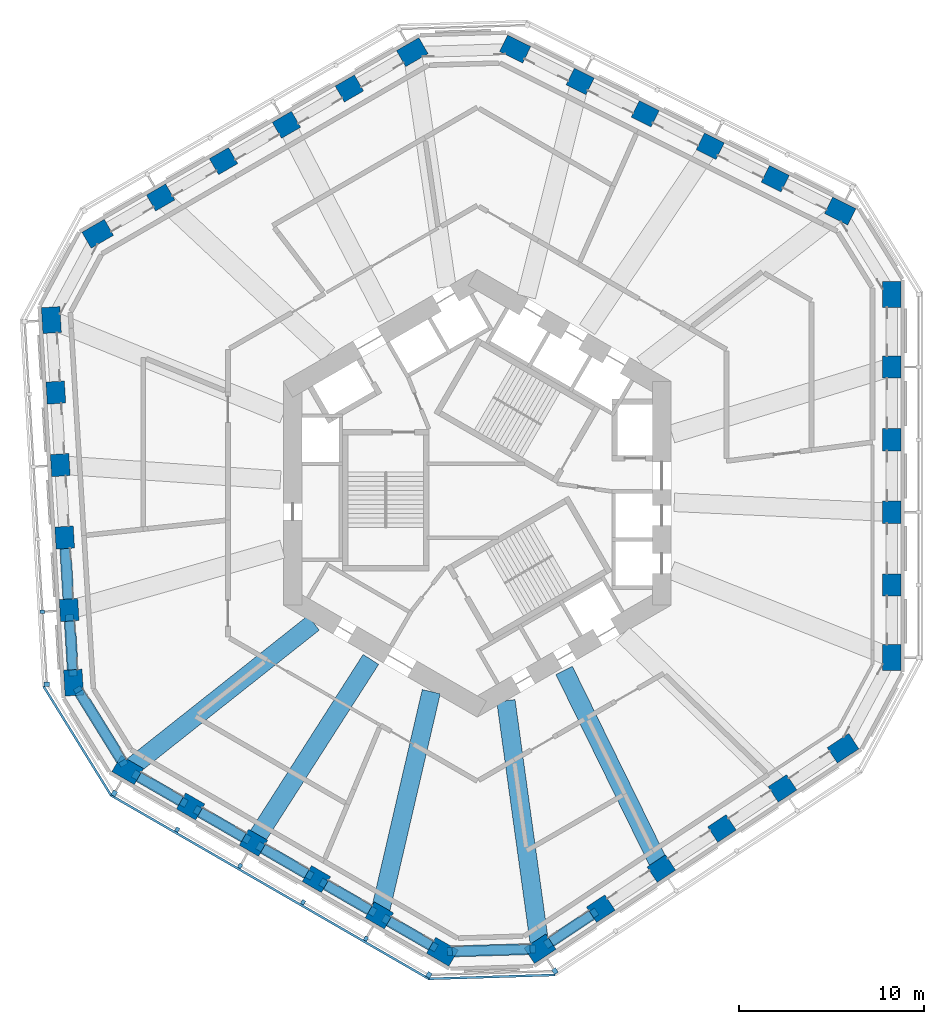
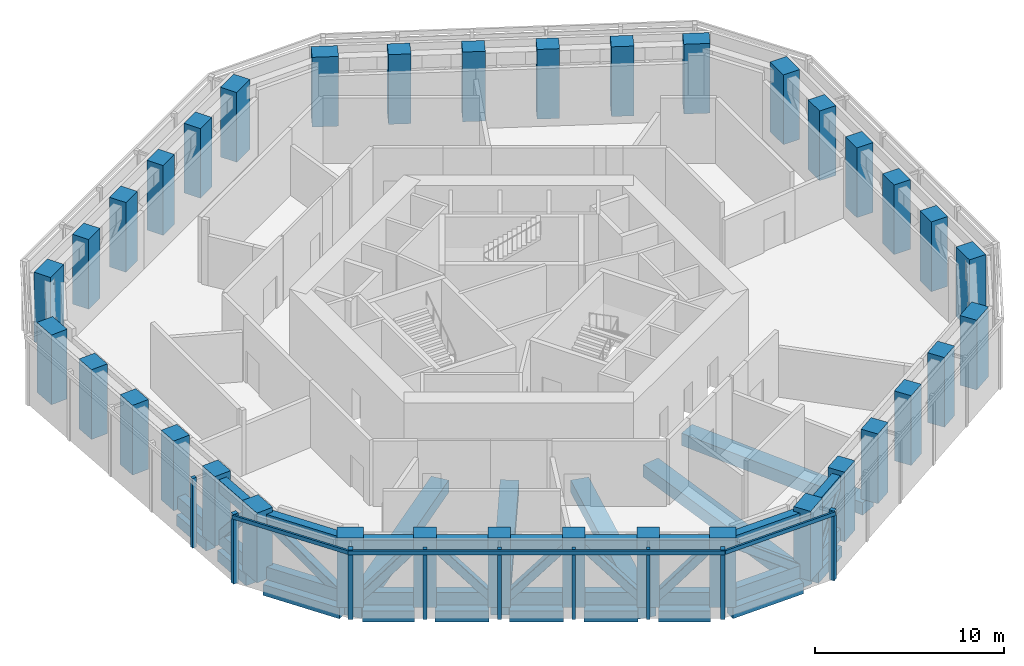
# One storey, part 1 of 15: 40 members, 36 columns, 15 beams, 5 elements without a shape of their own.
"""IFC4 building model written with IfcOpenShell, lengths in metres."""

import ifcopenshell
import ifcopenshell.guid

model = None  # the IFC model being written
_history = None  # IfcOwnerHistory: only IFC2X3 demands one
_inside = {}  # id of a spatial element -> (the spatial element, [elements in it])
_under = {}  # id of a project, library or spatial element -> (it, [spatial elements below it])
_declared = {}  # id of a project -> (the project, [libraries it declares])
_typed = {}  # id of a type object -> (the type object, [elements of that type])
_made_of = {}  # id of a material, layer set ... -> (it, [elements and type objects made of it])


def new_model(schema):
    """Start an empty IFC model of exactly this schema.

    Asked for "IFC4X3", IfcOpenShell would pick the latest addendum, in which some entities
    have other attributes; the version numbers below select the first issue.
    IFC2X3 requires an IfcOwnerHistory on every rooted entity: one is made here for all.
    """
    global model, _history
    if schema == "IFC4X3":
        model = ifcopenshell.file(schema_version=(4, 3, 0, 0))
    else:
        model = ifcopenshell.file(schema=schema)
    _inside.clear()
    _under.clear()
    _declared.clear()
    _typed.clear()
    _made_of.clear()
    _history = None
    if model.schema == "IFC2X3":
        org = make("IfcOrganization", Name="unknown")
        user = make(
            "IfcPersonAndOrganization",
            ThePerson=make("IfcPerson", FamilyName="unknown"),
            TheOrganization=org,
        )
        app = make(
            "IfcApplication",
            ApplicationDeveloper=org,
            Version="unknown",
            ApplicationFullName="unknown",
            ApplicationIdentifier="unknown",
        )
        _history = make(
            "IfcOwnerHistory",
            OwningUser=user,
            OwningApplication=app,
            ChangeAction="ADDED",
            CreationDate=0,
        )
    return model


def make(cls, **values):
    """One entity of the class cls with the attributes given. An attribute that is None is left unset."""
    return model.create_entity(
        cls, **{name: value for name, value in values.items() if value is not None}
    )


def rooted(cls, **values):
    """An entity with a GlobalId (a new one), such as an element, a storey or a relation."""
    return make(cls, GlobalId=ifcopenshell.guid.new(), OwnerHistory=_history, **values)


def si_unit(unit_type, name, prefix=None):
    """IfcSIUnit, for example si_unit("LENGTHUNIT", "METRE", prefix="MILLI")."""
    return make("IfcSIUnit", UnitType=unit_type, Prefix=prefix, Name=name)


def assignment(units):
    """IfcUnitAssignment: the units of a project."""
    return None if units is None else make("IfcUnitAssignment", Units=units)


def point(xyz):
    """IfcCartesianPoint."""
    return None if xyz is None else make("IfcCartesianPoint", Coordinates=xyz)


def direction(xyz):
    """IfcDirection."""
    return None if xyz is None else make("IfcDirection", DirectionRatios=xyz)


def frame(location, z_axis=None, x_axis=None):
    """IfcAxis2Placement3D, a coordinate frame: its origin and axes. An axis left out is left unset."""
    return make(
        "IfcAxis2Placement3D",
        Location=point(location),
        Axis=direction(z_axis),
        RefDirection=direction(x_axis),
    )


def frame_2d(location, x_axis=None):
    """IfcAxis2Placement2D, a coordinate frame in the plane: its origin and x axis."""
    return make(
        "IfcAxis2Placement2D", Location=point(location), RefDirection=direction(x_axis)
    )


def origin():
    """The frame at (0, 0, 0) with its axes left unset."""
    return frame((0.0, 0.0, 0.0))


def origin_2d():
    """The frame at (0, 0) in the plane with its x axis left unset."""
    return frame_2d((0.0, 0.0))


def place(relative_to, where):
    """IfcLocalPlacement: puts the frame where relative to a parent placement (None: the world)."""
    return make(
        "IfcLocalPlacement", PlacementRelTo=relative_to, RelativePlacement=where
    )


def context(
    kind, dimensions, precision=None, world=None, true_north=None, identifier=None
):
    """IfcGeometricRepresentationContext, for example the 3D "Model" context."""
    return make(
        "IfcGeometricRepresentationContext",
        ContextIdentifier=identifier,
        ContextType=kind,
        CoordinateSpaceDimension=dimensions,
        Precision=precision,
        WorldCoordinateSystem=world,
        TrueNorth=true_north,
    )


def subcontext(parent, identifier, kind, view, scale=None):
    """IfcGeometricRepresentationSubContext, for example "Body" below "Model"."""
    return make(
        "IfcGeometricRepresentationSubContext",
        ContextIdentifier=identifier,
        ContextType=kind,
        ParentContext=parent,
        TargetScale=scale,
        TargetView=view,
    )


def project(units=None, contexts=None):
    """IfcProject with its units and contexts."""
    return rooted(
        "IfcProject",
        Name="project",
        RepresentationContexts=contexts,
        UnitsInContext=assignment(units),
    )


def spatial(cls, under=None, at=None, **own):
    """A site, building, storey or space (cls), placed at a placement, below another one or the project."""
    s = rooted(cls, ObjectPlacement=at, **own)
    if under is not None:
        _under.setdefault(under.id(), (under, []))[1].append(s)
    return s


def profile(cls, at=None, kind="AREA", **sizes):
    """A parametric profile (cls). Its sizes go by their IFC names, for example OverallWidth=200.0."""
    return make(cls, ProfileType=kind, Position=at, **sizes)


def rectangle(**sizes):
    """IfcRectangleProfileDef."""
    return profile("IfcRectangleProfileDef", **sizes)


def hollow_rectangle(**sizes):
    """IfcRectangleHollowProfileDef."""
    return profile("IfcRectangleHollowProfileDef", **sizes)


def extrude(swept, where, along, depth):
    """IfcExtrudedAreaSolid: the profile swept, set in the frame where, extruded along a direction by depth."""
    return make(
        "IfcExtrudedAreaSolid",
        SweptArea=swept,
        Position=where,
        ExtrudedDirection=direction(along),
        Depth=depth,
    )


def shape(context_of_items, identifier, shape_type, items):
    """IfcShapeRepresentation: the items that make up one representation, for example the "Body"."""
    return make(
        "IfcShapeRepresentation",
        ContextOfItems=context_of_items,
        RepresentationIdentifier=identifier,
        RepresentationType=shape_type,
        Items=items,
    )


def material(Name=None, Category=None):
    """IfcMaterial."""
    return make("IfcMaterial", Name=Name, Category=Category)


def material_profile(
    of_material, cross_section, Name=None, Category=None, Priority=None
):
    """IfcMaterialProfile: a cross section and its material."""
    return make(
        "IfcMaterialProfile",
        Name=Name,
        Material=of_material,
        Profile=cross_section,
        Priority=Priority,
        Category=Category,
    )


def profile_set(profiles, Name=None, composite=None):
    """IfcMaterialProfileSet."""
    return make(
        "IfcMaterialProfileSet",
        Name=Name,
        MaterialProfiles=profiles,
        CompositeProfile=composite,
    )


def made_of(thing, what):
    """Note that an element or type object is made of a material, layer set ...; save() writes the relation."""
    if what is not None:
        _made_of.setdefault(what.id(), (what, []))[1].append(thing)
    return thing


def type_object(cls, material=None, **own):
    """A type object (cls), such as IfcWallType, which elements share."""
    return made_of(rooted(cls, **own), material)


def element(
    cls,
    number,
    at=None,
    inside=None,
    cuts=None,
    type_object=None,
    material=None,
    context=None,
    identifier="Body",
    shape_type=None,
    held_by="IfcProductDefinitionShape",
    body=None,
    shapes=None,
    **own,
):
    """One element of the class cls, such as IfcWall. Its Tag is "e" and its number.

    at: its placement. inside: the storey or other place that contains it. cuts: it is an
    opening in that element (IfcRelVoidsElement). A single representation is given by context,
    identifier, shape_type and body (its items); several are given by shapes. held_by: the class
    of the entity that holds the representations. save() writes the other relations.
    """
    e = rooted(cls, Tag="e%d" % number, ObjectPlacement=at, **own)
    if body is not None:
        shapes = [shape(context, identifier, shape_type, body)]
    if shapes is not None:
        e.Representation = make(held_by, Representations=shapes)
    if inside is not None:
        _inside.setdefault(inside.id(), (inside, []))[1].append(e)
    if cuts is not None:
        rooted(
            "IfcRelVoidsElement", RelatingBuildingElement=cuts, RelatedOpeningElement=e
        )
    if type_object is not None:
        _typed.setdefault(type_object.id(), (type_object, []))[1].append(e)
    return made_of(e, material)


def aggregate(whole, parts):
    """IfcRelAggregates: a whole, such as a stair, and the parts it consists of."""
    return rooted("IfcRelAggregates", RelatingObject=whole, RelatedObjects=parts)


def save(model, path):
    """Write the relations noted so far, then the file.

    IfcRelAggregates (storeys below a building ...), IfcRelContainedInSpatialStructure (elements
    in a storey), IfcRelDefinesByType, IfcRelAssociatesMaterial and IfcRelDeclares: one each for
    every whole, place, type object, material and project.
    """
    for whole, parts in _under.values():
        aggregate(whole, parts)
    for where, things in _inside.values():
        rooted(
            "IfcRelContainedInSpatialStructure",
            RelatedElements=things,
            RelatingStructure=where,
        )
    for kind, things in _typed.values():
        rooted("IfcRelDefinesByType", RelatedObjects=things, RelatingType=kind)
    for what, things in _made_of.values():
        rooted("IfcRelAssociatesMaterial", RelatedObjects=things, RelatingMaterial=what)
    for by, libraries in _declared.values():
        rooted("IfcRelDeclares", RelatingContext=by, RelatedDefinitions=libraries)
    model.write(path)


model = new_model("IFC4")

# Units and contexts
model_context = context("Model", 3, precision=1e-05, world=origin(), true_north=direction((0.0, 1.0)))
body_context = subcontext(model_context, "Body", "Model", "MODEL_VIEW")
ifc_project = project(units=[si_unit("LENGTHUNIT", "METRE"), si_unit("AREAUNIT", "SQUARE_METRE"), si_unit("VOLUMEUNIT", "CUBIC_METRE"), si_unit("PLANEANGLEUNIT", "RADIAN"), si_unit("MASSUNIT", "GRAM", prefix="KILO")], contexts=[model_context])

# Site, building, storey
site_placement = place(None, origin())
site = spatial("IfcSite", under=ifc_project, at=site_placement, CompositionType="ELEMENT")
building_placement = place(site_placement, origin())
building = spatial("IfcBuilding", under=site, at=building_placement, Name="Vanh Sen Convention Tower", CompositionType="ELEMENT")
storey_placement = place(building_placement, frame((0.0, 0.0, 119.89990234375)))
storey = spatial("IfcBuildingStorey", under=building, at=storey_placement, Name="L29", CompositionType="ELEMENT", Elevation=119.89990234375)

# Columns
ifc_material_1 = material(Name="Concrete C80/95", Category="concrete")
ifc_material_profile_1 = material_profile(ifc_material_1, rectangle(XDim=1.199951171875, YDim=1.0, at=origin_2d()), Name="RC 1200X1000")
ifc_profile_set_1 = profile_set([ifc_material_profile_1], Name="Concrete C80/95")
column_type_1 = type_object("IfcColumnType", Name="Facade column 1200 x 1000 C80/95", PredefinedType="COLUMN", material=ifc_profile_set_1)
for number, where, z_axis, x_axis, name in (
    (1, (22.449951171875, -4.964599609375, 0.0), (0.0, 0.0, 1.0), (0.0, 1.0, 0.0), "Facade column 02 L29"),
    (2, (22.449951171875, -1.030029296875, 0.0), (0.0, 0.0, 1.0), (0.0, 1.0, 0.0), "Facade column 03 L29"),
    (3, (22.449951171875, 2.904541015625, 0.0), (0.0, 0.0, 1.0), (0.0, 1.0, 0.0), "Facade column 04 L29"),
    (4, (22.449951171875, 6.839111328125, 0.0), (0.0, 0.0, 1.0), (0.0, 1.0, 0.0), "Facade column 05 L29"),
    (5, (16.1376953125, 17.039794921875, 0.0), (0.0, 0.0, 1.0), (-0.894934361602, 0.44619781311, 0.0), "Facade column 08 L29"),
    (6, (12.616455078125, 18.79541015625, 0.0), (0.0, 0.0, 1.0), (-0.894934361602, 0.44619781311, 0.0), "Facade column 09 L29"),
    (7, (9.09521484375, 20.55078125, 0.0), (0.0, 0.0, 1.0), (-0.894934361602, 0.44619781311, 0.0), "Facade column 10 L29"),
    (8, (5.57421875, 22.306396484375, 0.0), (0.0, 0.0, 1.0), (-0.894934361602, 0.44619781311, 0.0), "Facade column 11 L29"),
    (9, (-6.925537109375, 21.924560546875, 0.0), (0.0, 0.0, 1.0), (-0.866025403784, -0.5, 0.0), "Facade column 14 L29"),
    (10, (-10.3330078125, 19.957275390625, 0.0), (0.0, 0.0, 1.0), (-0.866025403784, -0.5, 0.0), "Facade column 15 L29"),
    (11, (-13.740478515625, 17.989990234375, 0.0), (0.0, 0.0, 1.0), (-0.866025403784, -0.5, 0.0), "Facade column 16 L29"),
    (12, (-17.14794921875, 16.022705078125, 0.0), (0.0, 0.0, 1.0), (-0.866025403784, -0.5, 0.0), "Facade column 17 L29"),
    (13, (-22.82568359375, 5.455810546875, 0.0), (0.0, 0.0, 1.0), (0.061048539535, -0.998134798422, 0.0), "Facade column 20 L29"),
    (14, (-22.58544921875, 1.528564453125, 0.0), (0.0, 0.0, 1.0), (0.061048539535, -0.998134798422, 0.0), "Facade column 21 L29"),
    (15, (-22.34521484375, -2.398681640625, 0.0), (0.0, 0.0, 1.0), (0.061048539535, -0.998134798422, 0.0), "Facade column 22 L29"),
    (16, (-22.10498046875, -6.325927734375, 0.0), (0.0, 0.0, 1.0), (0.061048539535, -0.998134798422, 0.0), "Facade column 23 L29"),
    (17, (-15.5244140625, -16.9599609375, 0.0), (0.0, 0.0, 1.0), (0.866025403784, -0.5, 0.0), "Facade column 26 L29"),
    (18, (-12.1171875, -18.92724609375, 0.0), (0.0, 0.0, 1.0), (0.866025403784, -0.5, 0.0), "Facade column 27 L29"),
    (19, (-8.709716796875, -20.89453125, 0.0), (0.0, 0.0, 1.0), (0.866025403784, -0.5, 0.0), "Facade column 28 L29"),
    (20, (-5.302001953125, -22.86181640625, 0.0), (0.0, 0.0, 1.0), (0.866025403784, -0.5, 0.0), "Facade column 29 L29"),
    (21, (6.68798828125, -22.49560546875, 0.0), (0.0, 0.0, 1.0), (0.833885822067, 0.551936985312, 0.0), "Facade column 32 L29"),
    (22, (9.968994140625, -20.323974609375, 0.0), (0.0, 0.0, 1.0), (0.833885822067, 0.551936985312, 0.0), "Facade column 33 L29"),
    (23, (13.25, -18.152099609375, 0.0), (0.0, 0.0, 1.0), (0.833885822067, 0.551936985312, 0.0), "Facade column 34 L29"),
    (24, (16.531005859375, -15.980712890625, 0.0), (0.0, 0.0, 1.0), (0.833885822067, 0.551936985312, 0.0), "Facade column 35 L29"),
):
    element("IfcColumn", number, at=place(storey_placement, frame(where, z_axis=z_axis, x_axis=x_axis)), inside=storey, type_object=column_type_1, Name=name, PredefinedType="COLUMN", context=body_context, shape_type="SweptSolid", body=[
        extrude(rectangle(XDim=1.199951171875, YDim=1.0, at=origin_2d()), origin(), (0.0, 0.0, 1.0), 4.5),
    ])
ifc_material_profile_2 = material_profile(ifc_material_1, rectangle(XDim=1.39990234375, YDim=1.0, at=origin_2d()), Name="RC 1400X1000")
ifc_profile_set_2 = profile_set([ifc_material_profile_2], Name="Concrete C80/95")
column_type_2 = type_object("IfcColumnType", Name="Facade corner column 1400 x 1000 C80/95", PredefinedType="COLUMN", material=ifc_profile_set_2)
for number, where, z_axis, x_axis, name in (
    (25, (22.449951171875, -8.899169921875, 0.0), (0.0, 0.0, 1.0), (0.0, 1.0, 0.0), "Facade column 01 L29"),
    (26, (22.449951171875, 10.773681640625, 0.0), (0.0, 0.0, 1.0), (0.0, 1.0, 0.0), "Facade column 06 L29"),
    (27, (19.658935546875, 15.2841796875, 0.0), (0.0, 0.0, 1.0), (-0.894934361602, 0.44619781311, 0.0), "Facade column 07 L29"),
    (28, (2.052978515625, 24.06201171875, 0.0), (0.0, 0.0, 1.0), (-0.894934361602, 0.44619781311, 0.0), "Facade column 12 L29"),
    (29, (-3.51806640625, 23.891845703125, 0.0), (0.0, 0.0, 1.0), (-0.866025403784, -0.5, 0.0), "Facade column 13 L29"),
    (30, (-20.555419921875, 14.055419921875, 0.0), (0.0, 0.0, 1.0), (-0.866025403784, -0.5, 0.0), "Facade column 18 L29"),
    (31, (-23.06591796875, 9.383056640625, 0.0), (0.0, 0.0, 1.0), (0.061048539535, -0.998134798422, 0.0), "Facade column 19 L29"),
    (32, (-21.86474609375, -10.253173828125, 0.0), (0.0, 0.0, 1.0), (0.061048539535, -0.998134798422, 0.0), "Facade column 24 L29"),
    (33, (-18.931884765625, -14.99267578125, 0.0), (0.0, 0.0, 1.0), (0.866025403784, -0.5, 0.0), "Facade column 25 L29"),
    (34, (-1.894775390625, -24.8291015625, 0.0), (0.0, 0.0, 1.0), (0.866025403784, -0.5, 0.0), "Facade column 30 L29"),
    (35, (3.406982421875, -24.6669921875, 0.0), (0.0, 0.0, 1.0), (0.833885822067, 0.551936985312, 0.0), "Facade column 31 L29"),
    (36, (19.81201171875, -13.808837890625, 0.0), (0.0, 0.0, 1.0), (0.833885822067, 0.551936985312, 0.0), "Facade column 36 L29"),
):
    element("IfcColumn", number, at=place(storey_placement, frame(where, z_axis=z_axis, x_axis=x_axis)), inside=storey, type_object=column_type_2, Name=name, PredefinedType="COLUMN", context=body_context, shape_type="SweptSolid", body=[
        extrude(rectangle(XDim=1.39990234375, YDim=1.0, at=origin_2d()), origin(), (0.0, 0.0, 1.0), 4.5),
    ])

# Members
ifc_material_2 = material(Name="Steel S460", Category="steel")
ifc_material_profile_3 = material_profile(ifc_material_2, hollow_rectangle(XDim=0.5, YDim=0.800048828125, WallThickness=0.0400390625, at=origin_2d()), Name="BOX 800X500X40")
ifc_profile_set_3 = profile_set([ifc_material_profile_3], Name="Steel S460")
member_type_1 = type_object("IfcMemberType", Name="Belt truss chord BOX 800X500X40", PredefinedType="CHORD", material=ifc_profile_set_3)
member_1_placement = place(storey_placement, frame((-22.308837890625, -2.99267578125, 0.400146484375), z_axis=(0.061026861063, -0.998136124098, 0.0), x_axis=(0.998136124098, 0.061026861063, 0.0)))
element("IfcMember", 37, at=member_1_placement, inside=storey, type_object=member_type_1, Name="BELT TRUSS chord bottom 22 L29", PredefinedType="CHORD", context=body_context, shape_type="SweptSolid", body=[
    extrude(hollow_rectangle(XDim=0.5, YDim=0.800048828125, WallThickness=0.0400390625, at=origin_2d()), origin(), (0.0, 0.0, 1.0), 2.744384765625),
])
for number, where, z_axis, x_axis, name in (
    (38, (-22.068603515625, -6.919921875, 0.400146484375), (0.061021844318, -0.998136430813, 0.0), (0.998136430813, 0.061021844318, 0.0), "BELT TRUSS chord bottom 23 L29"),
    (39, (-22.068603515625, -6.919921875, 3.800048828125), (0.061021844318, -0.998136430813, 0.0), (0.998136430813, 0.061021844318, 0.0), "BELT TRUSS chord top 23 L29"),
):
    element("IfcMember", number, at=place(storey_placement, frame(where, z_axis=z_axis, x_axis=x_axis)), inside=storey, type_object=member_type_1, Name=name, PredefinedType="CHORD", context=body_context, shape_type="SweptSolid", body=[
        extrude(hollow_rectangle(XDim=0.5, YDim=0.800048828125, WallThickness=0.0400390625, at=origin_2d()), origin(), (0.0, 0.0, 1.0), 2.64453125),
    ])
for number, where, z_axis, x_axis, name in (
    (40, (-21.556396484375, -10.751708984375, 0.400146484375), (0.526194195161, -0.85036443304, 0.0), (0.85036443304, 0.526194195161, 0.0), "BELT TRUSS chord bottom 24 L29"),
    (41, (-21.556396484375, -10.751708984375, 3.800048828125), (0.526194195161, -0.85036443304, 0.0), (0.85036443304, 0.526194195161, 0.0), "BELT TRUSS chord top 24 L29"),
):
    element("IfcMember", number, at=place(storey_placement, frame(where, z_axis=z_axis, x_axis=x_axis)), inside=storey, type_object=member_type_1, Name=name, PredefinedType="CHORD", context=body_context, shape_type="SweptSolid", body=[
        extrude(hollow_rectangle(XDim=0.5, YDim=0.800048828125, WallThickness=0.0400390625, at=origin_2d()), origin(), (0.0, 0.0, 1.0), 4.4013671875),
    ])
for number, where, z_axis, x_axis, name in (
    (42, (-18.330078125, -15.340087890625, 0.400146484375), (0.865990340526, -0.500060726429, 0.0), (0.500060726429, 0.865990340526, 0.0), "BELT TRUSS chord bottom 25 L29"),
    (43, (-18.330078125, -15.340087890625, 3.800048828125), (0.865990340526, -0.500060726429, 0.0), (0.500060726429, 0.865990340526, 0.0), "BELT TRUSS chord top 25 L29"),
):
    element("IfcMember", number, at=place(storey_placement, frame(where, z_axis=z_axis, x_axis=x_axis)), inside=storey, type_object=member_type_1, Name=name, PredefinedType="CHORD", context=body_context, shape_type="SweptSolid", body=[
        extrude(hollow_rectangle(XDim=0.5, YDim=0.800048828125, WallThickness=0.0400390625, at=origin_2d()), origin(), (0.0, 0.0, 1.0), 2.644775390625),
    ])
for number, where, z_axis, x_axis, name in (
    (44, (-15.00927734375, -17.257568359375, 0.400146484375), (0.866067086513, -0.499927796446, 0.0), (0.499927796446, 0.866067086513, 0.0), "BELT TRUSS chord bottom 26 L29"),
    (45, (-15.00927734375, -17.257568359375, 3.800048828125), (0.866067086513, -0.499927796446, 0.0), (0.499927796446, 0.866067086513, 0.0), "BELT TRUSS chord top 26 L29"),
    (46, (-11.601806640625, -19.224609375, 0.400146484375), (0.866028570666, -0.499994514761, 0.0), (0.499994514761, 0.866028570666, 0.0), "BELT TRUSS chord bottom 27 L29"),
    (47, (-11.601806640625, -19.224609375, 3.800048828125), (0.866028570666, -0.499994514761, 0.0), (0.499994514761, 0.866028570666, 0.0), "BELT TRUSS chord top 27 L29"),
    (48, (-8.1943359375, -21.19189453125, 0.400146484375), (0.866028570666, -0.499994514761, 0.0), (0.499994514761, 0.866028570666, 0.0), "BELT TRUSS chord bottom 28 L29"),
    (49, (-8.1943359375, -21.19189453125, 3.800048828125), (0.866028570666, -0.499994514761, 0.0), (0.499994514761, 0.866028570666, 0.0), "BELT TRUSS chord top 28 L29"),
):
    element("IfcMember", number, at=place(storey_placement, frame(where, z_axis=z_axis, x_axis=x_axis)), inside=storey, type_object=member_type_1, Name=name, PredefinedType="CHORD", context=body_context, shape_type="SweptSolid", body=[
        extrude(hollow_rectangle(XDim=0.5, YDim=0.800048828125, WallThickness=0.0400390625, at=origin_2d()), origin(), (0.0, 0.0, 1.0), 2.74462890625),
    ])
for number, where, z_axis, x_axis, name in (
    (50, (-4.786865234375, -23.1591796875, 0.400146484375), (0.865990340526, -0.500060726429, 0.0), (0.500060726429, 0.865990340526, 0.0), "BELT TRUSS chord bottom 29 L29"),
    (51, (-4.786865234375, -23.1591796875, 3.800048828125), (0.865990340526, -0.500060726429, 0.0), (0.500060726429, 0.865990340526, 0.0), "BELT TRUSS chord top 29 L29"),
):
    element("IfcMember", number, at=place(storey_placement, frame(where, z_axis=z_axis, x_axis=x_axis)), inside=storey, type_object=member_type_1, Name=name, PredefinedType="CHORD", context=body_context, shape_type="SweptSolid", body=[
        extrude(hollow_rectangle(XDim=0.5, YDim=0.800048828125, WallThickness=0.0400390625, at=origin_2d()), origin(), (0.0, 0.0, 1.0), 2.644775390625),
    ])
for number, where, z_axis, x_axis, name in (
    (52, (-1.353759765625, -24.8125, 0.400146484375), (0.999533721385, 0.030534240042, 0.0), (-0.030534240042, 0.999533721385, 0.0), "BELT TRUSS chord bottom 30 L29"),
    (53, (-1.353759765625, -24.8125, 3.800048828125), (0.999533721385, 0.030534240042, 0.0), (-0.030534240042, 0.999533721385, 0.0), "BELT TRUSS chord top 30 L29"),
):
    element("IfcMember", number, at=place(storey_placement, frame(where, z_axis=z_axis, x_axis=x_axis)), inside=storey, type_object=member_type_1, Name=name, PredefinedType="CHORD", context=body_context, shape_type="SweptSolid", body=[
        extrude(hollow_rectangle(XDim=0.5, YDim=0.800048828125, WallThickness=0.0400390625, at=origin_2d()), origin(), (0.0, 0.0, 1.0), 4.2216796875),
    ])
for number, where, z_axis, x_axis, name in (
    (54, (3.986572265625, -24.283447265625, 0.400146484375), (0.833892212548, 0.551927330227, 0.0), (-0.551927330227, 0.833892212548, 0.0), "BELT TRUSS chord bottom 31 L29"),
    (55, (3.986572265625, -24.283447265625, 3.800048828125), (0.833892212548, 0.551927330227, 0.0), (-0.551927330227, 0.833892212548, 0.0), "BELT TRUSS chord top 31 L29"),
):
    element("IfcMember", number, at=place(storey_placement, frame(where, z_axis=z_axis, x_axis=x_axis)), inside=storey, type_object=member_type_1, Name=name, PredefinedType="CHORD", context=body_context, shape_type="SweptSolid", body=[
        extrude(hollow_rectangle(XDim=0.5, YDim=0.800048828125, WallThickness=0.0400390625, at=origin_2d()), origin(), (0.0, 0.0, 1.0), 2.644287109375),
    ])
ifc_material_3 = material(Name="Steel S355", Category="steel")
ifc_material_profile_4 = material_profile(ifc_material_3, hollow_rectangle(XDim=0.5, YDim=0.5, WallThickness=0.02490234375, InnerFilletRadius=0.02490234375, OuterFilletRadius=0.050048828125, at=origin_2d()), Name="SHS 500X500X25")
ifc_profile_set_4 = profile_set([ifc_material_profile_4], Name="Steel S355")
member_type_2 = type_object("IfcMemberType", Name="Belt truss diagonal SHS 500X500X25", PredefinedType="BRACE", material=ifc_profile_set_4)
member_2_placement = place(storey_placement, frame((-22.07861328125, -6.756591796875, 0.400146484375), z_axis=(0.040171921633, -0.656862282524, 0.752939677869), x_axis=(0.998135122174, 0.06104324601, 0.0)))
element("IfcMember", 56, at=member_2_placement, inside=storey, type_object=member_type_2, Name="BELT TRUSS diagonal 23 L29", PredefinedType="BRACE", context=body_context, shape_type="SweptSolid", body=[
    extrude(hollow_rectangle(XDim=0.5, YDim=0.5, WallThickness=0.02490234375, InnerFilletRadius=0.02490234375, OuterFilletRadius=0.050048828125, at=origin_2d()), origin(), (0.0, 0.0, 1.0), 4.515625),
])
member_3_placement = place(storey_placement, frame((-21.625, -10.640869140625, 3.800048828125), z_axis=(0.425161627642, -0.687037156451, -0.589251674616), x_axis=(0.850346611915, 0.526222994181, 0.0)))
element("IfcMember", 57, at=member_3_placement, inside=storey, type_object=member_type_2, Name="BELT TRUSS diagonal 24 L29", PredefinedType="BRACE", context=body_context, shape_type="SweptSolid", body=[
    extrude(hollow_rectangle(XDim=0.5, YDim=0.5, WallThickness=0.02490234375, InnerFilletRadius=0.02490234375, OuterFilletRadius=0.050048828125, at=origin_2d()), origin(), (0.0, 0.0, 1.0), 5.769775390625),
])
member_4_placement = place(storey_placement, frame((-18.4716796875, -15.258544921875, 0.400146484375), z_axis=(0.569930859077, -0.329003821031, 0.752951061902), x_axis=(0.499947671726, 0.86605561342, 0.0)))
element("IfcMember", 58, at=member_4_placement, inside=storey, type_object=member_type_2, Name="BELT TRUSS diagonal 25 L29", PredefinedType="BRACE", context=body_context, shape_type="SweptSolid", body=[
    extrude(hollow_rectangle(XDim=0.5, YDim=0.5, WallThickness=0.02490234375, InnerFilletRadius=0.02490234375, OuterFilletRadius=0.050048828125, at=origin_2d()), origin(), (0.0, 0.0, 1.0), 4.515380859375),
])
for number, where, z_axis, x_axis, name in (
    (59, (-15.15087890625, -17.17578125, 3.800048828125), (0.580577026197, -0.335153220886, -0.742026034032), (0.499951800389, 0.866053230054, 0.0), "BELT TRUSS diagonal 26 L29"),
    (60, (-11.743408203125, -19.14306640625, 0.400146484375), (0.580577026197, -0.335153220886, 0.742026034032), (0.499951800389, 0.866053230054, 0.0), "BELT TRUSS diagonal 27 L29"),
    (61, (-8.3359375, -21.1103515625, 3.800048828125), (0.580577026197, -0.335153220886, -0.742026034032), (0.499951800389, 0.866053230054, 0.0), "BELT TRUSS diagonal 28 L29"),
):
    element("IfcMember", number, at=place(storey_placement, frame(where, z_axis=z_axis, x_axis=x_axis)), inside=storey, type_object=member_type_2, Name=name, PredefinedType="BRACE", context=body_context, shape_type="SweptSolid", body=[
        extrude(hollow_rectangle(XDim=0.5, YDim=0.5, WallThickness=0.02490234375, InnerFilletRadius=0.02490234375, OuterFilletRadius=0.050048828125, at=origin_2d()), origin(), (0.0, 0.0, 1.0), 4.58203125),
    ])
member_5_placement = place(storey_placement, frame((-4.928466796875, -23.07763671875, 0.400146484375), z_axis=(0.569930859077, -0.329003821031, 0.752951061902), x_axis=(0.499947671726, 0.86605561342, 0.0)))
element("IfcMember", 62, at=member_5_placement, inside=storey, type_object=member_type_2, Name="BELT TRUSS diagonal 29 L29", PredefinedType="BRACE", context=body_context, shape_type="SweptSolid", body=[
    extrude(hollow_rectangle(XDim=0.5, YDim=0.5, WallThickness=0.02490234375, InnerFilletRadius=0.02490234375, OuterFilletRadius=0.050048828125, at=origin_2d()), origin(), (0.0, 0.0, 1.0), 4.515380859375),
])
member_6_placement = place(storey_placement, frame((-1.488525390625, -24.816650390625, 3.800048828125), z_axis=(0.796945420202, 0.024357370359, -0.6035600349), x_axis=(-0.030549145935, 0.999533265921, 0.0)))
element("IfcMember", 63, at=member_6_placement, inside=storey, type_object=member_type_2, Name="BELT TRUSS diagonal 30 L29", PredefinedType="BRACE", context=body_context, shape_type="SweptSolid", body=[
    extrude(hollow_rectangle(XDim=0.5, YDim=0.5, WallThickness=0.02490234375, InnerFilletRadius=0.02490234375, OuterFilletRadius=0.050048828125, at=origin_2d()), origin(), (0.0, 0.0, 1.0), 5.633056640625),
])
member_7_placement = place(storey_placement, frame((3.85009765625, -24.373779296875, 0.400146484375), z_axis=(0.548741158119, 0.363232150975, 0.752957864614), x_axis=(-0.551966890565, 0.833866027441, 0.0)))
element("IfcMember", 64, at=member_7_placement, inside=storey, type_object=member_type_2, Name="BELT TRUSS diagonal 31 L29", PredefinedType="BRACE", context=body_context, shape_type="SweptSolid", body=[
    extrude(hollow_rectangle(XDim=0.5, YDim=0.5, WallThickness=0.02490234375, InnerFilletRadius=0.02490234375, OuterFilletRadius=0.050048828125, at=origin_2d()), origin(), (0.0, 0.0, 1.0), 4.515380859375),
])

# Curtain wall, member
ifc_material_4 = material(Name="Concrete C50/60", Category="concrete")
curtain_wall_type = type_object("IfcCurtainWallType", Name="Outer skin hotel zone", PredefinedType="NOTDEFINED", material=ifc_material_4)
curtain_wall_1_placement = place(storey_placement, origin())
curtain_wall_1 = element("IfcCurtainWall", 65, at=curtain_wall_1_placement, inside=storey, type_object=curtain_wall_type, Name="OUTER SKIN W L29", PredefinedType="NOTDEFINED")
ifc_material_profile_5 = material_profile(ifc_material_4, rectangle(XDim=0.25, YDim=0.300048828125, at=origin_2d()), Name="Outer skin precast corner fin 250 x 300")
ifc_profile_set_5 = profile_set([ifc_material_profile_5], Name="Concrete C50/60")
member_type_3 = type_object("IfcMemberType", Name="Outer skin precast corner fin 250 x 300", PredefinedType="MULLION", material=ifc_profile_set_5)
member_8_placement = place(storey_placement, frame((-23.31201171875, -10.341796875, 0.0), z_axis=(0.0, 0.0, 1.0), x_axis=(0.061048539535, -0.998134798422, 0.0)))
member_8 = element("IfcMember", 66, at=member_8_placement, type_object=member_type_3, Name="OUTER SKIN CORNER FIN 6 W L29", PredefinedType="MULLION", context=body_context, shape_type="SweptSolid", body=[
    extrude(rectangle(XDim=0.25, YDim=0.300048828125, at=origin_2d()), origin(), (0.0, 0.0, 1.0), 4.5),
])

# Curtain wall, members
curtain_wall_2_placement = place(storey_placement, origin())
curtain_wall_2 = element("IfcCurtainWall", 67, at=curtain_wall_2_placement, inside=storey, type_object=curtain_wall_type, Name="OUTER SKIN SW L29", PredefinedType="NOTDEFINED")
member_9_placement = place(storey_placement, frame((-19.656982421875, -16.248291015625, 0.0), z_axis=(0.0, 0.0, 1.0), x_axis=(0.866025403784, -0.5, 0.0)))
member_9 = element("IfcMember", 68, at=member_9_placement, type_object=member_type_3, Name="OUTER SKIN CORNER FIN 1 SW L29", PredefinedType="MULLION", context=body_context, shape_type="SweptSolid", body=[
    extrude(rectangle(XDim=0.25, YDim=0.300048828125, at=origin_2d()), origin(), (0.0, 0.0, 1.0), 4.5),
])
member_10_placement = place(storey_placement, frame((-2.61962890625, -26.084716796875, 0.0), z_axis=(0.0, 0.0, 1.0), x_axis=(0.866025403784, -0.5, 0.0)))
member_10 = element("IfcMember", 69, at=member_10_placement, type_object=member_type_3, Name="OUTER SKIN CORNER FIN 6 SW L29", PredefinedType="MULLION", context=body_context, shape_type="SweptSolid", body=[
    extrude(rectangle(XDim=0.25, YDim=0.300048828125, at=origin_2d()), origin(), (0.0, 0.0, 1.0), 4.5),
])

# Curtain wall, member
curtain_wall_3_placement = place(storey_placement, origin())
curtain_wall_3 = element("IfcCurtainWall", 70, at=curtain_wall_3_placement, inside=storey, type_object=curtain_wall_type, Name="OUTER SKIN SE L29", PredefinedType="NOTDEFINED")
member_11_placement = place(storey_placement, frame((4.207275390625, -25.876220703125, 0.0), z_axis=(0.0, 0.0, 1.0), x_axis=(0.833885822067, 0.551936985312, 0.0)))
member_11 = element("IfcMember", 71, at=member_11_placement, type_object=member_type_3, Name="OUTER SKIN CORNER FIN 1 SE L29", PredefinedType="MULLION", context=body_context, shape_type="SweptSolid", body=[
    extrude(rectangle(XDim=0.25, YDim=0.300048828125, at=origin_2d()), origin(), (0.0, 0.0, 1.0), 4.5),
])
aggregate(curtain_wall_3, [member_11])

# Member
ifc_material_profile_6 = material_profile(ifc_material_4, rectangle(XDim=0.199951171875, YDim=0.25, at=origin_2d()), Name="Outer skin precast fin 200 x 250")
ifc_profile_set_6 = profile_set([ifc_material_profile_6], Name="Concrete C50/60")
member_type_4 = type_object("IfcMemberType", Name="Outer skin precast fin 200 x 250", PredefinedType="MULLION", material=ifc_profile_set_6)
member_12_placement = place(storey_placement, frame((-23.55224609375, -6.414306640625, 0.0), z_axis=(0.0, 0.0, 1.0), x_axis=(0.061048539535, -0.998134798422, 0.0)))
member_12 = element("IfcMember", 72, at=member_12_placement, type_object=member_type_4, Name="OUTER SKIN fin 5 W L29", PredefinedType="MULLION", context=body_context, shape_type="SweptSolid", body=[
    extrude(rectangle(XDim=0.199951171875, YDim=0.25, at=origin_2d()), origin(), (0.0, 0.0, 1.0), 4.5),
])

aggregate(curtain_wall_1, [member_12, member_8])

member_13_placement = place(storey_placement, frame((-16.24951171875, -18.2158203125, 0.0), z_axis=(0.0, 0.0, 1.0), x_axis=(0.866025403784, -0.5, 0.0)))
member_13 = element("IfcMember", 73, at=member_13_placement, type_object=member_type_4, Name="OUTER SKIN fin 2 SW L29", PredefinedType="MULLION", context=body_context, shape_type="SweptSolid", body=[
    extrude(rectangle(XDim=0.199951171875, YDim=0.25, at=origin_2d()), origin(), (0.0, 0.0, 1.0), 4.5),
])

member_14_placement = place(storey_placement, frame((-12.842041015625, -20.182861328125, 0.0), z_axis=(0.0, 0.0, 1.0), x_axis=(0.866025403784, -0.5, 0.0)))
member_14 = element("IfcMember", 74, at=member_14_placement, type_object=member_type_4, Name="OUTER SKIN fin 3 SW L29", PredefinedType="MULLION", context=body_context, shape_type="SweptSolid", body=[
    extrude(rectangle(XDim=0.199951171875, YDim=0.25, at=origin_2d()), origin(), (0.0, 0.0, 1.0), 4.5),
])

member_15_placement = place(storey_placement, frame((-9.4345703125, -22.150146484375, 0.0), z_axis=(0.0, 0.0, 1.0), x_axis=(0.866025403784, -0.5, 0.0)))
member_15 = element("IfcMember", 75, at=member_15_placement, type_object=member_type_4, Name="OUTER SKIN fin 4 SW L29", PredefinedType="MULLION", context=body_context, shape_type="SweptSolid", body=[
    extrude(rectangle(XDim=0.199951171875, YDim=0.25, at=origin_2d()), origin(), (0.0, 0.0, 1.0), 4.5),
])

member_16_placement = place(storey_placement, frame((-6.027099609375, -24.117431640625, 0.0), z_axis=(0.0, 0.0, 1.0), x_axis=(0.866025403784, -0.5, 0.0)))
member_16 = element("IfcMember", 76, at=member_16_placement, type_object=member_type_4, Name="OUTER SKIN fin 5 SW L29", PredefinedType="MULLION", context=body_context, shape_type="SweptSolid", body=[
    extrude(rectangle(XDim=0.199951171875, YDim=0.25, at=origin_2d()), origin(), (0.0, 0.0, 1.0), 4.5),
])

# Curtain wall, member
curtain_wall_4_placement = place(storey_placement, origin())
curtain_wall_4 = element("IfcCurtainWall", 77, at=curtain_wall_4_placement, inside=storey, type_object=curtain_wall_type, Name="OUTER SKIN CH4 L29", PredefinedType="NOTDEFINED")
ifc_material_profile_7 = material_profile(ifc_material_4, rectangle(XDim=0.1201171875, YDim=0.25, at=origin_2d()), Name="Outer skin precast spandrel band 250 x 120")
ifc_profile_set_7 = profile_set([ifc_material_profile_7], Name="Concrete C50/60")
member_type_5 = type_object("IfcMemberType", Name="Outer skin precast spandrel band 250 x 120", PredefinedType="USERDEFINED", material=ifc_profile_set_7)
member_17_placement = place(storey_placement, frame((-23.49072265625, -10.4521484375, 4.375), z_axis=(0.526196095141, -0.850363257354, 0.0), x_axis=(0.850363257354, 0.526196095141, 0.0)))
member_17 = element("IfcMember", 78, at=member_17_placement, type_object=member_type_5, Name="OUTER SKIN spandrel band CH4 L29", ObjectType="TRANSOM", PredefinedType="USERDEFINED", context=body_context, shape_type="SweptSolid", body=[
    extrude(rectangle(XDim=0.1201171875, YDim=0.25, at=origin_2d()), origin(), (0.0, 0.0, 1.0), 6.946044921875),
])
aggregate(curtain_wall_4, [member_17])

# Member
member_18_placement = place(storey_placement, frame((-19.85791015625, -16.34619140625, 4.375), z_axis=(0.866028047459, -0.499995420993, 0.0), x_axis=(0.499995420993, 0.866028047459, 0.0)))
member_18 = element("IfcMember", 79, at=member_18_placement, type_object=member_type_5, Name="OUTER SKIN spandrel band SW L29", ObjectType="TRANSOM", PredefinedType="USERDEFINED", context=body_context, shape_type="SweptSolid", body=[
    extrude(rectangle(XDim=0.1201171875, YDim=0.25, at=origin_2d()), origin(), (0.0, 0.0, 1.0), 19.923095703125),
])

aggregate(curtain_wall_2, [member_9, member_13, member_14, member_15, member_16, member_10, member_18])

# Curtain wall, member
curtain_wall_5_placement = place(storey_placement, origin())
curtain_wall_5 = element("IfcCurtainWall", 80, at=curtain_wall_5_placement, inside=storey, type_object=curtain_wall_type, Name="OUTER SKIN CH5 L29", PredefinedType="NOTDEFINED")
member_19_placement = place(storey_placement, frame((-2.61328125, -26.294677734375, 4.375), z_axis=(0.99953396928, 0.030526124156, 0.0), x_axis=(-0.030526124156, 0.99953396928, 0.0)))
member_19 = element("IfcMember", 81, at=member_19_placement, type_object=member_type_5, Name="OUTER SKIN spandrel band CH5 L29", ObjectType="TRANSOM", PredefinedType="USERDEFINED", context=body_context, shape_type="SweptSolid", body=[
    extrude(rectangle(XDim=0.1201171875, YDim=0.25, at=origin_2d()), origin(), (0.0, 0.0, 1.0), 6.830078125),
])
aggregate(curtain_wall_5, [member_19])

# Beams
ifc_material_5 = material(Name="Concrete C50/60", Category="concrete")
ifc_material_profile_8 = material_profile(ifc_material_5, rectangle(XDim=1.0, YDim=0.800048828125, at=origin_2d()), Name="RC 1000X800")
ifc_profile_set_8 = profile_set([ifc_material_profile_8], Name="Concrete C50/60")
beam_type_1 = type_object("IfcBeamType", Name="Radial floor beam 1000 x 800", PredefinedType="BEAM", material=ifc_profile_set_8)
beam_1_placement = place(storey_placement, frame((-18.669677734375, -14.784912109375, -0.75), z_axis=(0.783946075621, 0.620828922102, 0.0), x_axis=(-0.620828922102, 0.783946075621, 0.0)))
element("IfcBeam", 82, at=beam_1_placement, inside=storey, type_object=beam_type_1, Name="Radial beam 13 L29", PredefinedType="BEAM", context=body_context, shape_type="SweptSolid", body=[
    extrude(rectangle(XDim=1.0, YDim=0.800048828125, at=origin_2d()), origin(), (0.0, 0.0, 1.0), 12.508056640625),
])
beam_2_placement = place(storey_placement, frame((-11.8623046875, -18.529296875, -0.75), z_axis=(0.539168157523, 0.842198134594, 0.0), x_axis=(-0.842198134594, 0.539168157523, 0.0)))
element("IfcBeam", 83, at=beam_2_placement, inside=storey, type_object=beam_type_1, Name="Radial beam 14 L29", PredefinedType="BEAM", context=body_context, shape_type="SweptSolid", body=[
    extrude(rectangle(XDim=1.0, YDim=0.800048828125, at=origin_2d()), origin(), (0.0, 0.0, 1.0), 11.31787109375),
])
beam_3_placement = place(storey_placement, frame((-5.247802734375, -22.626953125, -0.75), z_axis=(0.225939473506, 0.974141342061, 0.0), x_axis=(-0.974141342061, 0.225939473506, 0.0)))
element("IfcBeam", 84, at=beam_3_placement, inside=storey, type_object=beam_type_1, Name="Radial beam 15 L29", PredefinedType="BEAM", context=body_context, shape_type="SweptSolid", body=[
    extrude(rectangle(XDim=1.0, YDim=0.800048828125, at=origin_2d()), origin(), (0.0, 0.0, 1.0), 12.199462890625),
])
beam_4_placement = place(storey_placement, frame((3.364501953125, -24.3603515625, -0.75), z_axis=(-0.136807007089, 0.990597719971, 0.0), x_axis=(-0.990597719971, -0.136807007089, 0.0)))
element("IfcBeam", 85, at=beam_4_placement, inside=storey, type_object=beam_type_1, Name="Radial beam 16 L29", PredefinedType="BEAM", context=body_context, shape_type="SweptSolid", body=[
    extrude(rectangle(XDim=1.0, YDim=0.800048828125, at=origin_2d()), origin(), (0.0, 0.0, 1.0), 13.24853515625),
])
beam_5_placement = place(storey_placement, frame((9.785400390625, -19.949462890625, -0.75), z_axis=(-0.440385077977, 0.897808990318, 0.0), x_axis=(-0.897808990318, -0.440385077977, 0.0)))
element("IfcBeam", 86, at=beam_5_placement, inside=storey, type_object=beam_type_1, Name="Radial beam 17 L29", PredefinedType="BEAM", context=body_context, shape_type="SweptSolid", body=[
    extrude(rectangle(XDim=1.0, YDim=0.800048828125, at=origin_2d()), origin(), (0.0, 0.0, 1.0), 11.534423828125),
])
ifc_material_profile_9 = material_profile(ifc_material_5, rectangle(XDim=0.60009765625, YDim=0.699951171875, at=origin_2d()), Name="RC 600X700")
ifc_profile_set_9 = profile_set([ifc_material_profile_9], Name="Concrete C50/60")
beam_type_2 = type_object("IfcBeamType", Name="Spandrel beam 600 x 700", PredefinedType="SPANDREL", material=ifc_profile_set_9)
beam_6_placement = place(storey_placement, frame((-22.31201171875, -2.942626953125, -0.699951171875), z_axis=(0.061106573347, -0.998131247228, 0.0), x_axis=(0.998131247228, 0.061106573347, 0.0)))
element("IfcBeam", 87, at=beam_6_placement, inside=storey, type_object=beam_type_2, Name="Spandrel beam 22 L29", PredefinedType="SPANDREL", context=body_context, shape_type="SweptSolid", body=[
    extrude(rectangle(XDim=0.60009765625, YDim=0.699951171875, at=origin_2d()), origin(), (0.0, 0.0, 1.0), 2.8447265625),
])
beam_7_placement = place(storey_placement, frame((-22.07177734375, -6.869873046875, -0.699951171875), z_axis=(0.061021442686, -0.998136455367, 0.0), x_axis=(0.998136455367, 0.061021442686, 0.0)))
element("IfcBeam", 88, at=beam_7_placement, inside=storey, type_object=beam_type_2, Name="Spandrel beam 23 L29", PredefinedType="SPANDREL", context=body_context, shape_type="SweptSolid", body=[
    extrude(rectangle(XDim=0.60009765625, YDim=0.699951171875, at=origin_2d()), origin(), (0.0, 0.0, 1.0), 2.74462890625),
])
beam_8_placement = place(storey_placement, frame((-21.60546875, -10.67236328125, -0.699951171875), z_axis=(0.52620987415, -0.85035473089, 0.0), x_axis=(0.85035473089, 0.52620987415, 0.0)))
element("IfcBeam", 89, at=beam_8_placement, inside=storey, type_object=beam_type_2, Name="Spandrel beam 24 L29", PredefinedType="SPANDREL", context=body_context, shape_type="SweptSolid", body=[
    extrude(rectangle(XDim=0.60009765625, YDim=0.699951171875, at=origin_2d()), origin(), (0.0, 0.0, 1.0), 4.587646484375),
])
beam_9_placement = place(storey_placement, frame((-18.373291015625, -15.315185546875, -0.699951171875), z_axis=(0.866006330792, -0.500033033937, 0.0), x_axis=(0.500033033937, 0.866006330792, 0.0)))
element("IfcBeam", 90, at=beam_9_placement, inside=storey, type_object=beam_type_2, Name="Spandrel beam 25 L29", PredefinedType="SPANDREL", context=body_context, shape_type="SweptSolid", body=[
    extrude(rectangle(XDim=0.60009765625, YDim=0.699951171875, at=origin_2d()), origin(), (0.0, 0.0, 1.0), 2.744384765625),
])
for number, where, z_axis, x_axis, name in (
    (91, (-15.052490234375, -17.232421875, -0.699951171875), (0.866005490874, -0.500034488586, 0.0), (0.500034488586, 0.866005490874, 0.0), "Spandrel beam 26 L29"),
    (92, (-11.64501953125, -19.19970703125, -0.699951171875), (0.866005490874, -0.500034488586, 0.0), (0.500034488586, 0.866005490874, 0.0), "Spandrel beam 27 L29"),
    (93, (-8.237548828125, -21.1669921875, -0.699951171875), (0.866005490874, -0.500034488586, 0.0), (0.500034488586, 0.866005490874, 0.0), "Spandrel beam 28 L29"),
):
    element("IfcBeam", number, at=place(storey_placement, frame(where, z_axis=z_axis, x_axis=x_axis)), inside=storey, type_object=beam_type_2, Name=name, PredefinedType="SPANDREL", context=body_context, shape_type="SweptSolid", body=[
        extrude(rectangle(XDim=0.60009765625, YDim=0.699951171875, at=origin_2d()), origin(), (0.0, 0.0, 1.0), 2.844482421875),
    ])
beam_10_placement = place(storey_placement, frame((-4.830078125, -23.13427734375, -0.699951171875), z_axis=(0.866006330792, -0.500033033937, 0.0), x_axis=(0.500033033937, 0.866006330792, 0.0)))
element("IfcBeam", 94, at=beam_10_placement, inside=storey, type_object=beam_type_2, Name="Spandrel beam 29 L29", PredefinedType="SPANDREL", context=body_context, shape_type="SweptSolid", body=[
    extrude(rectangle(XDim=0.60009765625, YDim=0.699951171875, at=origin_2d()), origin(), (0.0, 0.0, 1.0), 2.744384765625),
])
beam_11_placement = place(storey_placement, frame((-1.4345703125, -24.81494140625, -0.699951171875), z_axis=(0.999534100542, 0.030521825872, 0.0), x_axis=(-0.030521825872, 0.999534100542, 0.0)))
element("IfcBeam", 95, at=beam_11_placement, inside=storey, type_object=beam_type_2, Name="Spandrel beam 30 L29", PredefinedType="SPANDREL", context=body_context, shape_type="SweptSolid", body=[
    extrude(rectangle(XDim=0.60009765625, YDim=0.699951171875, at=origin_2d()), origin(), (0.0, 0.0, 1.0), 4.38330078125),
])
beam_12_placement = place(storey_placement, frame((3.94482421875, -24.31103515625, -0.699951171875), z_axis=(0.833906917805, 0.551905111805, 0.0), x_axis=(-0.551905111805, 0.833906917805, 0.0)))
element("IfcBeam", 96, at=beam_12_placement, inside=storey, type_object=beam_type_2, Name="Spandrel beam 31 L29", PredefinedType="SPANDREL", context=body_context, shape_type="SweptSolid", body=[
    extrude(rectangle(XDim=0.60009765625, YDim=0.699951171875, at=origin_2d()), origin(), (0.0, 0.0, 1.0), 2.744384765625),
])

save(model, "model.ifc")
